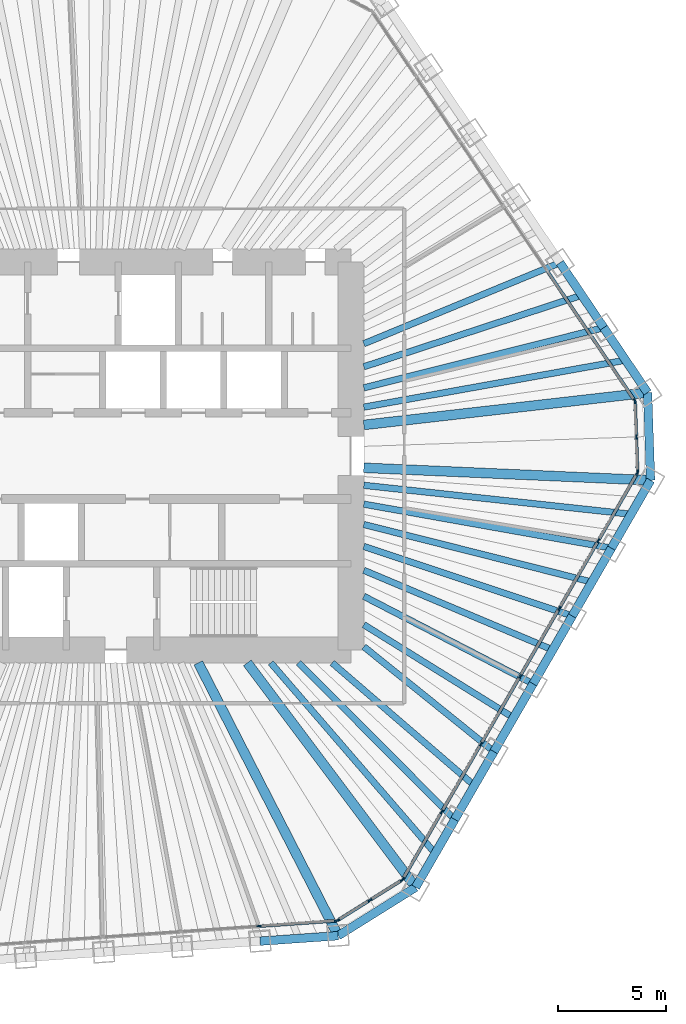
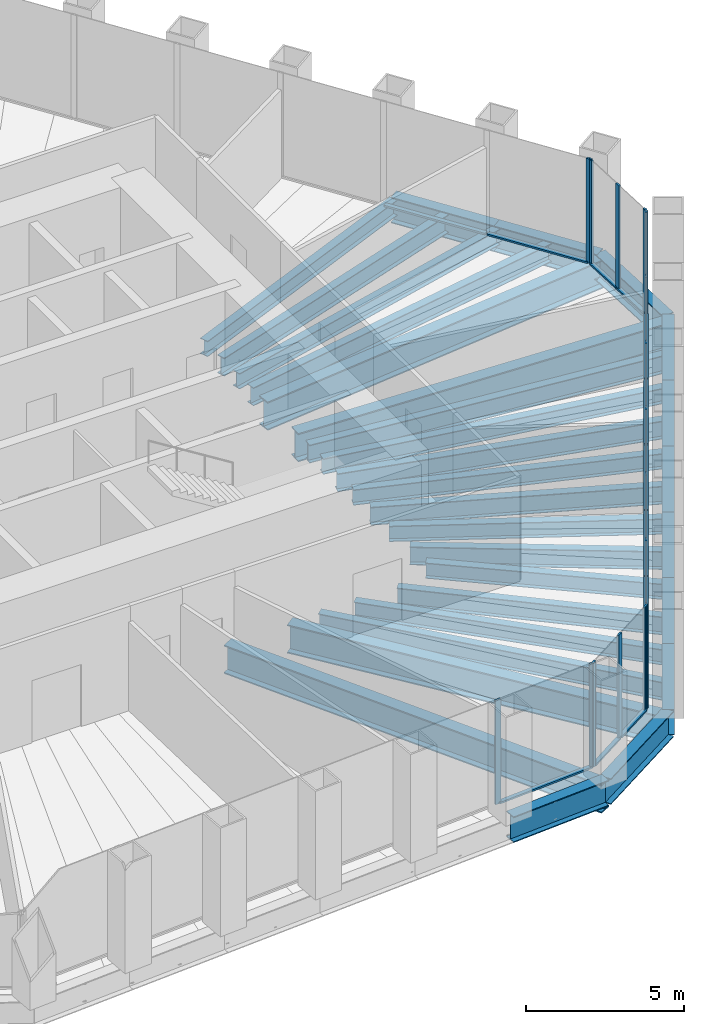
# One storey, part 4 of 13: 30 beams, 29 members, 5 elements without a shape of their own.
"""IFC4 building model written with IfcOpenShell, lengths in metres."""

import ifcopenshell
import ifcopenshell.guid

model = None  # the IFC model being written
_history = None  # IfcOwnerHistory: only IFC2X3 demands one
_inside = {}  # id of a spatial element -> (the spatial element, [elements in it])
_under = {}  # id of a project, library or spatial element -> (it, [spatial elements below it])
_declared = {}  # id of a project -> (the project, [libraries it declares])
_typed = {}  # id of a type object -> (the type object, [elements of that type])
_made_of = {}  # id of a material, layer set ... -> (it, [elements and type objects made of it])


def new_model(schema):
    """Start an empty IFC model of exactly this schema.

    Asked for "IFC4X3", IfcOpenShell would pick the latest addendum, in which some entities
    have other attributes; the version numbers below select the first issue.
    IFC2X3 requires an IfcOwnerHistory on every rooted entity: one is made here for all.
    """
    global model, _history
    if schema == "IFC4X3":
        model = ifcopenshell.file(schema_version=(4, 3, 0, 0))
    else:
        model = ifcopenshell.file(schema=schema)
    _inside.clear()
    _under.clear()
    _declared.clear()
    _typed.clear()
    _made_of.clear()
    _history = None
    if model.schema == "IFC2X3":
        org = make("IfcOrganization", Name="unknown")
        user = make(
            "IfcPersonAndOrganization",
            ThePerson=make("IfcPerson", FamilyName="unknown"),
            TheOrganization=org,
        )
        app = make(
            "IfcApplication",
            ApplicationDeveloper=org,
            Version="unknown",
            ApplicationFullName="unknown",
            ApplicationIdentifier="unknown",
        )
        _history = make(
            "IfcOwnerHistory",
            OwningUser=user,
            OwningApplication=app,
            ChangeAction="ADDED",
            CreationDate=0,
        )
    return model


def make(cls, **values):
    """One entity of the class cls with the attributes given. An attribute that is None is left unset."""
    return model.create_entity(
        cls, **{name: value for name, value in values.items() if value is not None}
    )


def rooted(cls, **values):
    """An entity with a GlobalId (a new one), such as an element, a storey or a relation."""
    return make(cls, GlobalId=ifcopenshell.guid.new(), OwnerHistory=_history, **values)


def si_unit(unit_type, name, prefix=None):
    """IfcSIUnit, for example si_unit("LENGTHUNIT", "METRE", prefix="MILLI")."""
    return make("IfcSIUnit", UnitType=unit_type, Prefix=prefix, Name=name)


def assignment(units):
    """IfcUnitAssignment: the units of a project."""
    return None if units is None else make("IfcUnitAssignment", Units=units)


def point(xyz):
    """IfcCartesianPoint."""
    return None if xyz is None else make("IfcCartesianPoint", Coordinates=xyz)


def direction(xyz):
    """IfcDirection."""
    return None if xyz is None else make("IfcDirection", DirectionRatios=xyz)


def frame(location, z_axis=None, x_axis=None):
    """IfcAxis2Placement3D, a coordinate frame: its origin and axes. An axis left out is left unset."""
    return make(
        "IfcAxis2Placement3D",
        Location=point(location),
        Axis=direction(z_axis),
        RefDirection=direction(x_axis),
    )


def frame_2d(location, x_axis=None):
    """IfcAxis2Placement2D, a coordinate frame in the plane: its origin and x axis."""
    return make(
        "IfcAxis2Placement2D", Location=point(location), RefDirection=direction(x_axis)
    )


def origin():
    """The frame at (0, 0, 0) with its axes left unset."""
    return frame((0.0, 0.0, 0.0))


def origin_2d():
    """The frame at (0, 0) in the plane with its x axis left unset."""
    return frame_2d((0.0, 0.0))


def place(relative_to, where):
    """IfcLocalPlacement: puts the frame where relative to a parent placement (None: the world)."""
    return make(
        "IfcLocalPlacement", PlacementRelTo=relative_to, RelativePlacement=where
    )


def context(
    kind, dimensions, precision=None, world=None, true_north=None, identifier=None
):
    """IfcGeometricRepresentationContext, for example the 3D "Model" context."""
    return make(
        "IfcGeometricRepresentationContext",
        ContextIdentifier=identifier,
        ContextType=kind,
        CoordinateSpaceDimension=dimensions,
        Precision=precision,
        WorldCoordinateSystem=world,
        TrueNorth=true_north,
    )


def subcontext(parent, identifier, kind, view, scale=None):
    """IfcGeometricRepresentationSubContext, for example "Body" below "Model"."""
    return make(
        "IfcGeometricRepresentationSubContext",
        ContextIdentifier=identifier,
        ContextType=kind,
        ParentContext=parent,
        TargetScale=scale,
        TargetView=view,
    )


def project(units=None, contexts=None):
    """IfcProject with its units and contexts."""
    return rooted(
        "IfcProject",
        Name="project",
        RepresentationContexts=contexts,
        UnitsInContext=assignment(units),
    )


def spatial(cls, under=None, at=None, **own):
    """A site, building, storey or space (cls), placed at a placement, below another one or the project."""
    s = rooted(cls, ObjectPlacement=at, **own)
    if under is not None:
        _under.setdefault(under.id(), (under, []))[1].append(s)
    return s


def profile(cls, at=None, kind="AREA", **sizes):
    """A parametric profile (cls). Its sizes go by their IFC names, for example OverallWidth=200.0."""
    return make(cls, ProfileType=kind, Position=at, **sizes)


def rectangle(**sizes):
    """IfcRectangleProfileDef."""
    return profile("IfcRectangleProfileDef", **sizes)


def i_section(**sizes):
    """IfcIShapeProfileDef."""
    return profile("IfcIShapeProfileDef", **sizes)


def extrude(swept, where, along, depth):
    """IfcExtrudedAreaSolid: the profile swept, set in the frame where, extruded along a direction by depth."""
    return make(
        "IfcExtrudedAreaSolid",
        SweptArea=swept,
        Position=where,
        ExtrudedDirection=direction(along),
        Depth=depth,
    )


def shape(context_of_items, identifier, shape_type, items):
    """IfcShapeRepresentation: the items that make up one representation, for example the "Body"."""
    return make(
        "IfcShapeRepresentation",
        ContextOfItems=context_of_items,
        RepresentationIdentifier=identifier,
        RepresentationType=shape_type,
        Items=items,
    )


def material(Name=None, Category=None):
    """IfcMaterial."""
    return make("IfcMaterial", Name=Name, Category=Category)


def material_profile(
    of_material, cross_section, Name=None, Category=None, Priority=None
):
    """IfcMaterialProfile: a cross section and its material."""
    return make(
        "IfcMaterialProfile",
        Name=Name,
        Material=of_material,
        Profile=cross_section,
        Priority=Priority,
        Category=Category,
    )


def profile_set(profiles, Name=None, composite=None):
    """IfcMaterialProfileSet."""
    return make(
        "IfcMaterialProfileSet",
        Name=Name,
        MaterialProfiles=profiles,
        CompositeProfile=composite,
    )


def made_of(thing, what):
    """Note that an element or type object is made of a material, layer set ...; save() writes the relation."""
    if what is not None:
        _made_of.setdefault(what.id(), (what, []))[1].append(thing)
    return thing


def type_object(cls, material=None, **own):
    """A type object (cls), such as IfcWallType, which elements share."""
    return made_of(rooted(cls, **own), material)


def element(
    cls,
    number,
    at=None,
    inside=None,
    cuts=None,
    type_object=None,
    material=None,
    context=None,
    identifier="Body",
    shape_type=None,
    held_by="IfcProductDefinitionShape",
    body=None,
    shapes=None,
    **own,
):
    """One element of the class cls, such as IfcWall. Its Tag is "e" and its number.

    at: its placement. inside: the storey or other place that contains it. cuts: it is an
    opening in that element (IfcRelVoidsElement). A single representation is given by context,
    identifier, shape_type and body (its items); several are given by shapes. held_by: the class
    of the entity that holds the representations. save() writes the other relations.
    """
    e = rooted(cls, Tag="e%d" % number, ObjectPlacement=at, **own)
    if body is not None:
        shapes = [shape(context, identifier, shape_type, body)]
    if shapes is not None:
        e.Representation = make(held_by, Representations=shapes)
    if inside is not None:
        _inside.setdefault(inside.id(), (inside, []))[1].append(e)
    if cuts is not None:
        rooted(
            "IfcRelVoidsElement", RelatingBuildingElement=cuts, RelatedOpeningElement=e
        )
    if type_object is not None:
        _typed.setdefault(type_object.id(), (type_object, []))[1].append(e)
    return made_of(e, material)


def aggregate(whole, parts):
    """IfcRelAggregates: a whole, such as a stair, and the parts it consists of."""
    return rooted("IfcRelAggregates", RelatingObject=whole, RelatedObjects=parts)


def save(model, path):
    """Write the relations noted so far, then the file.

    IfcRelAggregates (storeys below a building ...), IfcRelContainedInSpatialStructure (elements
    in a storey), IfcRelDefinesByType, IfcRelAssociatesMaterial and IfcRelDeclares: one each for
    every whole, place, type object, material and project.
    """
    for whole, parts in _under.values():
        aggregate(whole, parts)
    for where, things in _inside.values():
        rooted(
            "IfcRelContainedInSpatialStructure",
            RelatedElements=things,
            RelatingStructure=where,
        )
    for kind, things in _typed.values():
        rooted("IfcRelDefinesByType", RelatedObjects=things, RelatingType=kind)
    for what, things in _made_of.values():
        rooted("IfcRelAssociatesMaterial", RelatedObjects=things, RelatingMaterial=what)
    for by, libraries in _declared.values():
        rooted("IfcRelDeclares", RelatingContext=by, RelatedDefinitions=libraries)
    model.write(path)


model = new_model("IFC4")

# Units and contexts
model_context = context("Model", 3, precision=1e-05, world=origin(), true_north=direction((0.0, 1.0)))
body_context = subcontext(model_context, "Body", "Model", "MODEL_VIEW")
ifc_project = project(units=[si_unit("LENGTHUNIT", "METRE"), si_unit("AREAUNIT", "SQUARE_METRE"), si_unit("VOLUMEUNIT", "CUBIC_METRE"), si_unit("PLANEANGLEUNIT", "RADIAN"), si_unit("MASSUNIT", "GRAM", prefix="KILO")], contexts=[model_context])

# Site, building, storey
site_placement = place(None, origin())
site = spatial("IfcSite", under=ifc_project, at=site_placement, CompositionType="ELEMENT")
building_placement = place(site_placement, origin())
building = spatial("IfcBuilding", under=site, at=building_placement, Name="Qingtian Harvest Tower", CompositionType="ELEMENT")
storey_placement = place(building_placement, frame((0.0, 0.0, 226.60009765625)))
storey = spatial("IfcBuildingStorey", under=building, at=storey_placement, Name="L49", CompositionType="ELEMENT", Elevation=226.60009765625)

# Beams
ifc_material_1 = material(Name="Steel SM570MC", Category="steel")
ifc_material_profile_1 = material_profile(ifc_material_1, i_section(OverallWidth=0.449951171875, OverallDepth=1.10009765625, WebThickness=0.02197265625, FlangeThickness=0.044921875, at=origin_2d()), Name="H1100x450x22x45")
ifc_profile_set_1 = profile_set([ifc_material_profile_1], Name="Steel SM570MC")
beam_type_1 = type_object("IfcBeamType", Name="Corner floor beam FB8 H1100x450x22x45", PredefinedType="BEAM", material=ifc_profile_set_1)
beam_1_placement = place(storey_placement, frame((25.762451171875, 2.936279296875, -0.72021484375), z_axis=(-0.993566901619, -0.113246686522, 0.0), x_axis=(0.113246686522, -0.993566901619, 0.0)))
element("IfcBeam", 1, at=beam_1_placement, inside=storey, type_object=beam_type_1, Name="Floor beam FB8 NE6", PredefinedType="BEAM", context=body_context, shape_type="SweptSolid", body=[
    extrude(i_section(OverallWidth=0.449951171875, OverallDepth=1.10009765625, WebThickness=0.02197265625, FlangeThickness=0.044921875, at=origin_2d()), origin(), (0.0, 0.0, 1.0), 13.24755859375),
])
beam_2_placement = place(storey_placement, frame((25.904541015625, -1.1318359375, -0.72021484375), z_axis=(-0.999046865424, 0.043650437408, 0.0), x_axis=(-0.043650437408, -0.999046865424, 0.0)))
element("IfcBeam", 2, at=beam_2_placement, inside=storey, type_object=beam_type_1, Name="Floor beam FB8 SE0", PredefinedType="BEAM", context=body_context, shape_type="SweptSolid", body=[
    extrude(i_section(OverallWidth=0.449951171875, OverallDepth=1.10009765625, WebThickness=0.02197265625, FlangeThickness=0.044921875, at=origin_2d()), origin(), (0.0, 0.0, 1.0), 13.317138671875),
])
beam_3_placement = place(storey_placement, frame((15.00390625, -20.012451171875, -0.72021484375), z_axis=(-0.599858913609, 0.800105795357, 0.0), x_axis=(-0.800105795357, -0.599858913609, 0.0)))
element("IfcBeam", 3, at=beam_3_placement, inside=storey, type_object=beam_type_1, Name="Floor beam FB8 SE6", PredefinedType="BEAM", context=body_context, shape_type="SweptSolid", body=[
    extrude(i_section(OverallWidth=0.449951171875, OverallDepth=1.10009765625, WebThickness=0.02197265625, FlangeThickness=0.044921875, at=origin_2d()), origin(), (0.0, 0.0, 1.0), 13.013671875),
])
beam_4_placement = place(storey_placement, frame((11.40966796875, -22.25830078125, -0.72021484375), z_axis=(-0.456157396608, 0.889899111989, 0.0), x_axis=(-0.889899111989, -0.456157396608, 0.0)))
element("IfcBeam", 4, at=beam_4_placement, inside=storey, type_object=beam_type_1, Name="Floor beam FB8 S0", PredefinedType="BEAM", context=body_context, shape_type="SweptSolid", body=[
    extrude(i_section(OverallWidth=0.449951171875, OverallDepth=1.10009765625, WebThickness=0.02197265625, FlangeThickness=0.044921875, at=origin_2d()), origin(), (0.0, 0.0, 1.0), 14.224365234375),
])
ifc_material_2 = material(Name="Steel SN490B", Category="steel")
ifc_material_profile_2 = material_profile(ifc_material_2, i_section(OverallWidth=0.300048828125, OverallDepth=0.60009765625, WebThickness=0.011962890625, FlangeThickness=0.02001953125, at=origin_2d()), Name="H600x300x12x20")
ifc_profile_set_2 = profile_set([ifc_material_profile_2], Name="Steel SN490B")
beam_type_2 = type_object("IfcBeamType", Name="Floor beam FB3 H600x300x12x20", PredefinedType="BEAM", material=ifc_profile_set_2)
beam_5_placement = place(storey_placement, frame((21.69873046875, 8.9609375, -0.47021484375), z_axis=(-0.924281590361, -0.381711332973, 0.0), x_axis=(0.381711332973, -0.924281590361, 0.0)))
element("IfcBeam", 5, at=beam_5_placement, inside=storey, type_object=beam_type_2, Name="Floor beam FB3 NE4", PredefinedType="BEAM", context=body_context, shape_type="SweptSolid", body=[
    extrude(i_section(OverallWidth=0.300048828125, OverallDepth=0.60009765625, WebThickness=0.011962890625, FlangeThickness=0.02001953125, at=origin_2d()), origin(), (0.0, 0.0, 1.0), 9.843994140625),
])
beam_6_placement = place(storey_placement, frame((23.730712890625, 5.948486328125, -0.47021484375), z_axis=(-0.969990876487, -0.243141315972, 0.0), x_axis=(0.243141315972, -0.969990876487, 0.0)))
element("IfcBeam", 6, at=beam_6_placement, inside=storey, type_object=beam_type_2, Name="Floor beam FB3 NE5", PredefinedType="BEAM", context=body_context, shape_type="SweptSolid", body=[
    extrude(i_section(OverallWidth=0.300048828125, OverallDepth=0.60009765625, WebThickness=0.011962890625, FlangeThickness=0.02001953125, at=origin_2d()), origin(), (0.0, 0.0, 1.0), 11.474853515625),
])
beam_7_placement = place(storey_placement, frame((24.087890625, -4.27880859375, -0.47021484375), z_axis=(-0.98458469654, 0.174908477034, 0.0), x_axis=(-0.174908477034, -0.98458469654, 0.0)))
element("IfcBeam", 7, at=beam_7_placement, inside=storey, type_object=beam_type_2, Name="Floor beam FB3 SE1", PredefinedType="BEAM", context=body_context, shape_type="SweptSolid", body=[
    extrude(i_section(OverallWidth=0.300048828125, OverallDepth=0.60009765625, WebThickness=0.011962890625, FlangeThickness=0.02001953125, at=origin_2d()), origin(), (0.0, 0.0, 1.0), 11.667724609375),
])
beam_8_placement = place(storey_placement, frame((22.27099609375, -7.425537109375, -0.47021484375), z_axis=(-0.948654555734, 0.316313979908, 0.0), x_axis=(-0.316313979908, -0.948654555734, 0.0)))
element("IfcBeam", 8, at=beam_8_placement, inside=storey, type_object=beam_type_2, Name="Floor beam FB3 SE2", PredefinedType="BEAM", context=body_context, shape_type="SweptSolid", body=[
    extrude(i_section(OverallWidth=0.300048828125, OverallDepth=0.60009765625, WebThickness=0.011962890625, FlangeThickness=0.02001953125, at=origin_2d()), origin(), (0.0, 0.0, 1.0), 10.1943359375),
])
beam_9_placement = place(storey_placement, frame((20.454345703125, -10.572265625, -0.47021484375), z_axis=(-0.888343501027, 0.459179511938, 0.0), x_axis=(-0.459179511938, -0.888343501027, 0.0)))
element("IfcBeam", 9, at=beam_9_placement, inside=storey, type_object=beam_type_2, Name="Floor beam FB3 SE3", PredefinedType="BEAM", context=body_context, shape_type="SweptSolid", body=[
    extrude(i_section(OverallWidth=0.300048828125, OverallDepth=0.60009765625, WebThickness=0.011962890625, FlangeThickness=0.02001953125, at=origin_2d()), origin(), (0.0, 0.0, 1.0), 8.841552734375),
])
beam_10_placement = place(storey_placement, frame((18.637451171875, -13.718994140625, -0.47021484375), z_axis=(-0.77840907003, 0.62775737327, 0.0), x_axis=(-0.62775737327, -0.77840907003, 0.0)))
element("IfcBeam", 10, at=beam_10_placement, inside=storey, type_object=beam_type_2, Name="Floor beam FB3 SE4", PredefinedType="BEAM", context=body_context, shape_type="SweptSolid", body=[
    extrude(i_section(OverallWidth=0.300048828125, OverallDepth=0.60009765625, WebThickness=0.011962890625, FlangeThickness=0.02001953125, at=origin_2d()), origin(), (0.0, 0.0, 1.0), 7.756103515625),
])
beam_11_placement = place(storey_placement, frame((16.82080078125, -16.86572265625, -0.47021484375), z_axis=(-0.70616637797, 0.708045935392, 0.0), x_axis=(-0.708045935392, -0.70616637797, 0.0)))
element("IfcBeam", 11, at=beam_11_placement, inside=storey, type_object=beam_type_2, Name="Floor beam FB3 SE5", PredefinedType="BEAM", context=body_context, shape_type="SweptSolid", body=[
    extrude(i_section(OverallWidth=0.300048828125, OverallDepth=0.60009765625, WebThickness=0.011962890625, FlangeThickness=0.02001953125, at=origin_2d()), origin(), (0.0, 0.0, 1.0), 10.261474609375),
])
ifc_material_3 = material(Name="Steel SN490B", Category="steel")
ifc_material_profile_3 = material_profile(ifc_material_3, i_section(OverallWidth=0.300048828125, OverallDepth=0.699951171875, WebThickness=0.012939453125, FlangeThickness=0.02392578125, at=origin_2d()), Name="H700x300x13x24")
ifc_profile_set_3 = profile_set([ifc_material_profile_3], Name="Steel SN490B")
beam_type_3 = type_object("IfcBeamType", Name="Floor joist J2 H700x300x13x24", PredefinedType="JOIST", material=ifc_profile_set_3)
beam_12_placement = place(storey_placement, frame((22.71484375, 7.454833984375, -0.52001953125), z_axis=(-0.950138567513, -0.311828001508, 0.0), x_axis=(0.311828001508, -0.950138567513, 0.0)))
element("IfcBeam", 12, at=beam_12_placement, inside=storey, type_object=beam_type_3, Name="Floor joist J2 NE4", PredefinedType="JOIST", context=body_context, shape_type="SweptSolid", body=[
    extrude(i_section(OverallWidth=0.300048828125, OverallDepth=0.699951171875, WebThickness=0.012939453125, FlangeThickness=0.02392578125, at=origin_2d()), origin(), (0.0, 0.0, 1.0), 10.6455078125),
])
beam_13_placement = place(storey_placement, frame((24.74658203125, 4.4423828125, -0.52001953125), z_axis=(-0.98426723745, -0.176686177393, 0.0), x_axis=(0.176686177393, -0.98426723745, 0.0)))
element("IfcBeam", 13, at=beam_13_placement, inside=storey, type_object=beam_type_3, Name="Floor joist J2 NE5", PredefinedType="JOIST", context=body_context, shape_type="SweptSolid", body=[
    extrude(i_section(OverallWidth=0.300048828125, OverallDepth=0.699951171875, WebThickness=0.012939453125, FlangeThickness=0.02392578125, at=origin_2d()), origin(), (0.0, 0.0, 1.0), 12.340576171875),
])
beam_14_placement = place(storey_placement, frame((24.99609375, -2.705322265625, -0.52001953125), z_axis=(-0.994194656298, 0.107596400448, 0.0), x_axis=(-0.107596400448, -0.994194656298, 0.0)))
element("IfcBeam", 14, at=beam_14_placement, inside=storey, type_object=beam_type_3, Name="Floor joist J2 SE0", PredefinedType="JOIST", context=body_context, shape_type="SweptSolid", body=[
    extrude(i_section(OverallWidth=0.300048828125, OverallDepth=0.699951171875, WebThickness=0.012939453125, FlangeThickness=0.02392578125, at=origin_2d()), origin(), (0.0, 0.0, 1.0), 12.46826171875),
])
beam_15_placement = place(storey_placement, frame((23.179443359375, -5.85205078125, -0.52001953125), z_axis=(-0.969577887027, 0.244783007963, 0.0), x_axis=(-0.244783007963, -0.969577887027, 0.0)))
element("IfcBeam", 15, at=beam_15_placement, inside=storey, type_object=beam_type_3, Name="Floor joist J2 SE1", PredefinedType="JOIST", context=body_context, shape_type="SweptSolid", body=[
    extrude(i_section(OverallWidth=0.300048828125, OverallDepth=0.699951171875, WebThickness=0.012939453125, FlangeThickness=0.02392578125, at=origin_2d()), origin(), (0.0, 0.0, 1.0), 10.911376953125),
])
beam_16_placement = place(storey_placement, frame((21.362548828125, -8.998779296875, -0.52001953125), z_axis=(-0.921571079516, 0.388209666803, 0.0), x_axis=(-0.388209666803, -0.921571079516, 0.0)))
element("IfcBeam", 16, at=beam_16_placement, inside=storey, type_object=beam_type_3, Name="Floor joist J2 SE2", PredefinedType="JOIST", context=body_context, shape_type="SweptSolid", body=[
    extrude(i_section(OverallWidth=0.300048828125, OverallDepth=0.699951171875, WebThickness=0.012939453125, FlangeThickness=0.02392578125, at=origin_2d()), origin(), (0.0, 0.0, 1.0), 9.508056640625),
])
beam_17_placement = place(storey_placement, frame((19.5458984375, -12.1455078125, -0.52001953125), z_axis=(-0.849380822906, 0.527780463526, 0.0), x_axis=(-0.527780463526, -0.849380822906, 0.0)))
element("IfcBeam", 17, at=beam_17_placement, inside=storey, type_object=beam_type_3, Name="Floor joist J2 SE3", PredefinedType="JOIST", context=body_context, shape_type="SweptSolid", body=[
    extrude(i_section(OverallWidth=0.300048828125, OverallDepth=0.699951171875, WebThickness=0.012939453125, FlangeThickness=0.02392578125, at=origin_2d()), origin(), (0.0, 0.0, 1.0), 8.177490234375),
])
beam_18_placement = place(storey_placement, frame((17.72900390625, -15.292236328125, -0.52001953125), z_axis=(-0.757237954988, 0.653139096613, 0.0), x_axis=(-0.653139096613, -0.757237954988, 0.0)))
element("IfcBeam", 18, at=beam_18_placement, inside=storey, type_object=beam_type_3, Name="Floor joist J2 SE4", PredefinedType="JOIST", context=body_context, shape_type="SweptSolid", body=[
    extrude(i_section(OverallWidth=0.300048828125, OverallDepth=0.699951171875, WebThickness=0.012939453125, FlangeThickness=0.02392578125, at=origin_2d()), origin(), (0.0, 0.0, 1.0), 8.715087890625),
])
beam_19_placement = place(storey_placement, frame((15.912353515625, -18.43896484375, -0.52001953125), z_axis=(-0.653343257086, 0.757061812813, 0.0), x_axis=(-0.757061812813, -0.653343257086, 0.0)))
element("IfcBeam", 19, at=beam_19_placement, inside=storey, type_object=beam_type_3, Name="Floor joist J2 SE5", PredefinedType="JOIST", context=body_context, shape_type="SweptSolid", body=[
    extrude(i_section(OverallWidth=0.300048828125, OverallDepth=0.699951171875, WebThickness=0.012939453125, FlangeThickness=0.02392578125, at=origin_2d()), origin(), (0.0, 0.0, 1.0), 11.67529296875),
])

# Curtain wall, member
ifc_material_4 = material(Name="Bronze-anodised aluminium curtain wall", Category="aluminium")
curtain_wall_type = type_object("IfcCurtainWallType", Name="Curtain wall CW4 office", PredefinedType="USERDEFINED", material=ifc_material_4)
curtain_wall_1_placement = place(storey_placement, origin())
curtain_wall_1 = element("IfcCurtainWall", 20, at=curtain_wall_1_placement, inside=storey, type_object=curtain_wall_type, Name="Curtain wall CW4 L49 NE0-5", ObjectType="RECESSED CURTAIN WALL", PredefinedType="USERDEFINED")
ifc_material_5 = material(Name="Bronze-anodised aluminium mullion", Category="aluminium")
ifc_material_profile_4 = material_profile(ifc_material_5, rectangle(XDim=0.06494140625, YDim=0.199951171875, at=origin_2d()), Name="AL 65x200")
ifc_profile_set_4 = profile_set([ifc_material_profile_4], Name="Bronze-anodised aluminium mullion")
member_type_1 = type_object("IfcMemberType", Name="Mullion CWM 65x200", PredefinedType="MULLION", material=ifc_profile_set_4)
member_1_placement = place(storey_placement, frame((25.1640625, 2.57177734375, 0.0), z_axis=(0.0, 0.0, 1.0), x_axis=(0.829037572555, 0.559192903471, 0.0)))
member_1 = element("IfcMember", 21, at=member_1_placement, type_object=member_type_1, Name="CW4 mullion 7", PredefinedType="MULLION", context=body_context, shape_type="SweptSolid", body=[
    extrude(rectangle(XDim=0.06494140625, YDim=0.199951171875, at=origin_2d()), origin(), (0.0, 0.0, 1.0), 4.02978515625),
])

# Curtain wall, members
curtain_wall_2_placement = place(storey_placement, origin())
curtain_wall_2 = element("IfcCurtainWall", 22, at=curtain_wall_2_placement, inside=storey, type_object=curtain_wall_type, Name="Curtain wall CW4 L49 NEC", ObjectType="RECESSED CURTAIN WALL", PredefinedType="USERDEFINED")
member_2_placement = place(storey_placement, frame((25.183349609375, 2.51220703125, 0.0), z_axis=(0.0, 0.0, 1.0), x_axis=(0.999390827019, 0.034899496703, 0.0)))
member_2 = element("IfcMember", 23, at=member_2_placement, type_object=member_type_1, Name="CW4 mullion 1", PredefinedType="MULLION", context=body_context, shape_type="SweptSolid", body=[
    extrude(rectangle(XDim=0.06494140625, YDim=0.199951171875, at=origin_2d()), origin(), (0.0, 0.0, 1.0), 4.02978515625),
])
member_3_placement = place(storey_placement, frame((25.240234375, 0.88134765625, 0.0), z_axis=(0.0, 0.0, 1.0), x_axis=(0.999390827019, 0.034899496703, 0.0)))
member_3 = element("IfcMember", 24, at=member_3_placement, type_object=member_type_1, Name="CW4 mullion 2", PredefinedType="MULLION", context=body_context, shape_type="SweptSolid", body=[
    extrude(rectangle(XDim=0.06494140625, YDim=0.199951171875, at=origin_2d()), origin(), (0.0, 0.0, 1.0), 4.02978515625),
])
member_4_placement = place(storey_placement, frame((25.297119140625, -0.74951171875, 0.0), z_axis=(0.0, 0.0, 1.0), x_axis=(0.999390827019, 0.034899496703, 0.0)))
member_4 = element("IfcMember", 25, at=member_4_placement, type_object=member_type_1, Name="CW4 mullion 3", PredefinedType="MULLION", context=body_context, shape_type="SweptSolid", body=[
    extrude(rectangle(XDim=0.06494140625, YDim=0.199951171875, at=origin_2d()), origin(), (0.0, 0.0, 1.0), 4.02978515625),
])

curtain_wall_3_placement = place(storey_placement, origin())
curtain_wall_3 = element("IfcCurtainWall", 26, at=curtain_wall_3_placement, inside=storey, type_object=curtain_wall_type, Name="Curtain wall CW4 L49 SE0-5", ObjectType="RECESSED CURTAIN WALL", PredefinedType="USERDEFINED")
member_5_placement = place(storey_placement, frame((25.2822265625, -0.81005859375, 0.0), z_axis=(0.0, 0.0, 1.0), x_axis=(0.866025403784, -0.5, 0.0)))
member_5 = element("IfcMember", 27, at=member_5_placement, type_object=member_type_1, Name="CW4 mullion 1", PredefinedType="MULLION", context=body_context, shape_type="SweptSolid", body=[
    extrude(rectangle(XDim=0.06494140625, YDim=0.199951171875, at=origin_2d()), origin(), (0.0, 0.0, 1.0), 4.02978515625),
])
member_6_placement = place(storey_placement, frame((23.481689453125, -3.9287109375, 0.0), z_axis=(0.0, 0.0, 1.0), x_axis=(0.866025403784, -0.5, 0.0)))
member_6 = element("IfcMember", 28, at=member_6_placement, type_object=member_type_1, Name="CW4 mullion 2", PredefinedType="MULLION", context=body_context, shape_type="SweptSolid", body=[
    extrude(rectangle(XDim=0.06494140625, YDim=0.199951171875, at=origin_2d()), origin(), (0.0, 0.0, 1.0), 4.02978515625),
])
member_7_placement = place(storey_placement, frame((21.664794921875, -7.075439453125, 0.0), z_axis=(0.0, 0.0, 1.0), x_axis=(0.866025403784, -0.5, 0.0)))
member_7 = element("IfcMember", 29, at=member_7_placement, type_object=member_type_1, Name="CW4 mullion 3", PredefinedType="MULLION", context=body_context, shape_type="SweptSolid", body=[
    extrude(rectangle(XDim=0.06494140625, YDim=0.199951171875, at=origin_2d()), origin(), (0.0, 0.0, 1.0), 4.02978515625),
])
member_8_placement = place(storey_placement, frame((19.84814453125, -10.22216796875, 0.0), z_axis=(0.0, 0.0, 1.0), x_axis=(0.866025403784, -0.5, 0.0)))
member_8 = element("IfcMember", 30, at=member_8_placement, type_object=member_type_1, Name="CW4 mullion 4", PredefinedType="MULLION", context=body_context, shape_type="SweptSolid", body=[
    extrude(rectangle(XDim=0.06494140625, YDim=0.199951171875, at=origin_2d()), origin(), (0.0, 0.0, 1.0), 4.02978515625),
])
member_9_placement = place(storey_placement, frame((18.03125, -13.368896484375, 0.0), z_axis=(0.0, 0.0, 1.0), x_axis=(0.866025403784, -0.5, 0.0)))
member_9 = element("IfcMember", 31, at=member_9_placement, type_object=member_type_1, Name="CW4 mullion 5", PredefinedType="MULLION", context=body_context, shape_type="SweptSolid", body=[
    extrude(rectangle(XDim=0.06494140625, YDim=0.199951171875, at=origin_2d()), origin(), (0.0, 0.0, 1.0), 4.02978515625),
])
member_10_placement = place(storey_placement, frame((16.214599609375, -16.515625, 0.0), z_axis=(0.0, 0.0, 1.0), x_axis=(0.866025403784, -0.5, 0.0)))
member_10 = element("IfcMember", 32, at=member_10_placement, type_object=member_type_1, Name="CW4 mullion 6", PredefinedType="MULLION", context=body_context, shape_type="SweptSolid", body=[
    extrude(rectangle(XDim=0.06494140625, YDim=0.199951171875, at=origin_2d()), origin(), (0.0, 0.0, 1.0), 4.02978515625),
])
member_11_placement = place(storey_placement, frame((14.4140625, -19.63427734375, 0.0), z_axis=(0.0, 0.0, 1.0), x_axis=(0.866025403784, -0.5, 0.0)))
member_11 = element("IfcMember", 33, at=member_11_placement, type_object=member_type_1, Name="CW4 mullion 7", PredefinedType="MULLION", context=body_context, shape_type="SweptSolid", body=[
    extrude(rectangle(XDim=0.06494140625, YDim=0.199951171875, at=origin_2d()), origin(), (0.0, 0.0, 1.0), 4.02978515625),
])

curtain_wall_4_placement = place(storey_placement, origin())
curtain_wall_4 = element("IfcCurtainWall", 34, at=curtain_wall_4_placement, inside=storey, type_object=curtain_wall_type, Name="Curtain wall CW4 L49 SEC", ObjectType="RECESSED CURTAIN WALL", PredefinedType="USERDEFINED")
member_12_placement = place(storey_placement, frame((14.3701171875, -19.6796875, 0.0), z_axis=(0.0, 0.0, 1.0), x_axis=(0.529919264233, -0.848048096156, 0.0)))
member_12 = element("IfcMember", 35, at=member_12_placement, type_object=member_type_1, Name="CW4 mullion 1", PredefinedType="MULLION", context=body_context, shape_type="SweptSolid", body=[
    extrude(rectangle(XDim=0.06494140625, YDim=0.199951171875, at=origin_2d()), origin(), (0.0, 0.0, 1.0), 4.02978515625),
])
member_13_placement = place(storey_placement, frame((12.87939453125, -20.611328125, 0.0), z_axis=(0.0, 0.0, 1.0), x_axis=(0.529919264233, -0.848048096156, 0.0)))
member_13 = element("IfcMember", 36, at=member_13_placement, type_object=member_type_1, Name="CW4 mullion 2", PredefinedType="MULLION", context=body_context, shape_type="SweptSolid", body=[
    extrude(rectangle(XDim=0.06494140625, YDim=0.199951171875, at=origin_2d()), origin(), (0.0, 0.0, 1.0), 4.02978515625),
])
member_14_placement = place(storey_placement, frame((11.388427734375, -21.542724609375, 0.0), z_axis=(0.0, 0.0, 1.0), x_axis=(0.529919264233, -0.848048096156, 0.0)))
member_14 = element("IfcMember", 37, at=member_14_placement, type_object=member_type_1, Name="CW4 mullion 3", PredefinedType="MULLION", context=body_context, shape_type="SweptSolid", body=[
    extrude(rectangle(XDim=0.06494140625, YDim=0.199951171875, at=origin_2d()), origin(), (0.0, 0.0, 1.0), 4.02978515625),
])

curtain_wall_5_placement = place(storey_placement, origin())
curtain_wall_5 = element("IfcCurtainWall", 38, at=curtain_wall_5_placement, inside=storey, type_object=curtain_wall_type, Name="Curtain wall CW4 L49 S0-5", ObjectType="RECESSED CURTAIN WALL", PredefinedType="USERDEFINED")
member_15_placement = place(storey_placement, frame((11.32861328125, -21.562255859375, 0.0), z_axis=(0.0, 0.0, 1.0), x_axis=(0.069756473744, -0.99756405026, 0.0)))
member_15 = element("IfcMember", 39, at=member_15_placement, type_object=member_type_1, Name="CW4 mullion 1", PredefinedType="MULLION", context=body_context, shape_type="SweptSolid", body=[
    extrude(rectangle(XDim=0.06494140625, YDim=0.199951171875, at=origin_2d()), origin(), (0.0, 0.0, 1.0), 4.02978515625),
])
member_16_placement = place(storey_placement, frame((7.736328125, -21.8134765625, 0.0), z_axis=(0.0, 0.0, 1.0), x_axis=(0.069756473744, -0.99756405026, 0.0)))
member_16 = element("IfcMember", 40, at=member_16_placement, type_object=member_type_1, Name="CW4 mullion 2", PredefinedType="MULLION", context=body_context, shape_type="SweptSolid", body=[
    extrude(rectangle(XDim=0.06494140625, YDim=0.199951171875, at=origin_2d()), origin(), (0.0, 0.0, 1.0), 4.02978515625),
])

# Beams
ifc_material_6 = material(Name="Steel SN490B", Category="steel")
ifc_material_profile_5 = material_profile(ifc_material_6, i_section(OverallWidth=0.39990234375, OverallDepth=1.0, WebThickness=0.01904296875, FlangeThickness=0.035888671875, at=origin_2d()), Name="H1000x400x19x36")
ifc_profile_set_5 = profile_set([ifc_material_profile_5], Name="Steel SN490B")
beam_type_4 = type_object("IfcBeamType", Name="Spandrel beam SB3 H1000x400x19x36", PredefinedType="SPANDREL", material=ifc_profile_set_5)
beam_20_placement = place(storey_placement, frame((21.69873046875, 8.9609375, -0.5), z_axis=(0.55920395902, -0.829030115385, 0.0), x_axis=(0.829030115385, 0.55920395902, 0.0)))
element("IfcBeam", 41, at=beam_20_placement, inside=storey, type_object=beam_type_4, Name="Spandrel SB3 NE4", PredefinedType="SPANDREL", context=body_context, shape_type="SweptSolid", body=[
    extrude(i_section(OverallWidth=0.39990234375, OverallDepth=1.0, WebThickness=0.01904296875, FlangeThickness=0.035888671875, at=origin_2d()), origin(), (0.0, 0.0, 1.0), 3.6337890625),
])
beam_21_placement = place(storey_placement, frame((23.730712890625, 5.948486328125, -0.5), z_axis=(0.559188928021, -0.829040254016, 0.0), x_axis=(0.829040254016, 0.559188928021, 0.0)))
element("IfcBeam", 42, at=beam_21_placement, inside=storey, type_object=beam_type_4, Name="Spandrel SB3 NE5", PredefinedType="SPANDREL", context=body_context, shape_type="SweptSolid", body=[
    extrude(i_section(OverallWidth=0.39990234375, OverallDepth=1.0, WebThickness=0.01904296875, FlangeThickness=0.035888671875, at=origin_2d()), origin(), (0.0, 0.0, 1.0), 3.63330078125),
])
beam_22_placement = place(storey_placement, frame((25.762451171875, 2.936279296875, -0.5), z_axis=(0.03490639867, -0.999390585973, 0.0), x_axis=(0.999390585973, 0.03490639867, 0.0)))
element("IfcBeam", 43, at=beam_22_placement, inside=storey, type_object=beam_type_4, Name="Spandrel SB3 NEC", PredefinedType="SPANDREL", context=body_context, shape_type="SweptSolid", body=[
    extrude(i_section(OverallWidth=0.39990234375, OverallDepth=1.0, WebThickness=0.01904296875, FlangeThickness=0.035888671875, at=origin_2d()), origin(), (0.0, 0.0, 1.0), 4.070556640625),
])
beam_23_placement = place(storey_placement, frame((25.904541015625, -1.1318359375, -0.5), z_axis=(-0.499947341849, -0.866055803848, 0.0), x_axis=(0.866055803848, -0.499947341849, 0.0)))
element("IfcBeam", 44, at=beam_23_placement, inside=storey, type_object=beam_type_4, Name="Spandrel SB3 SE0", PredefinedType="SPANDREL", context=body_context, shape_type="SweptSolid", body=[
    extrude(i_section(OverallWidth=0.39990234375, OverallDepth=1.0, WebThickness=0.01904296875, FlangeThickness=0.035888671875, at=origin_2d()), origin(), (0.0, 0.0, 1.0), 3.6337890625),
])
for number, where, z_axis, x_axis, name in (
    (45, (24.087890625, -4.27880859375, -0.5), (-0.500026827678, -0.866009914263, 0.0), (0.866009914263, -0.500026827678, 0.0), "Spandrel SB3 SE1"),
    (46, (22.27099609375, -7.425537109375, -0.5), (-0.499976434558, -0.866039008871, 0.0), (0.866039008871, -0.499976434558, 0.0), "Spandrel SB3 SE2"),
    (47, (20.454345703125, -10.572265625, -0.5), (-0.500026827678, -0.866009914263, 0.0), (0.866009914263, -0.500026827678, 0.0), "Spandrel SB3 SE3"),
    (48, (18.637451171875, -13.718994140625, -0.5), (-0.499976434558, -0.866039008871, 0.0), (0.866039008871, -0.499976434558, 0.0), "Spandrel SB3 SE4"),
    (49, (16.82080078125, -16.86572265625, -0.5), (-0.500026827678, -0.866009914263, 0.0), (0.866009914263, -0.500026827678, 0.0), "Spandrel SB3 SE5"),
):
    element("IfcBeam", number, at=place(storey_placement, frame(where, z_axis=z_axis, x_axis=x_axis)), inside=storey, type_object=beam_type_4, Name=name, PredefinedType="SPANDREL", context=body_context, shape_type="SweptSolid", body=[
        extrude(i_section(OverallWidth=0.39990234375, OverallDepth=1.0, WebThickness=0.01904296875, FlangeThickness=0.035888671875, at=origin_2d()), origin(), (0.0, 0.0, 1.0), 3.633544921875),
    ])
beam_24_placement = place(storey_placement, frame((15.00390625, -20.012451171875, -0.5), z_axis=(-0.848056550838, -0.529905733675, 0.0), x_axis=(0.529905733675, -0.848056550838, 0.0)))
element("IfcBeam", 50, at=beam_24_placement, inside=storey, type_object=beam_type_4, Name="Spandrel SB3 SEC", PredefinedType="SPANDREL", context=body_context, shape_type="SweptSolid", body=[
    extrude(i_section(OverallWidth=0.39990234375, OverallDepth=1.0, WebThickness=0.01904296875, FlangeThickness=0.035888671875, at=origin_2d()), origin(), (0.0, 0.0, 1.0), 4.23828125),
])
beam_25_placement = place(storey_placement, frame((11.40966796875, -22.25830078125, -0.5), z_axis=(-0.997564674207, -0.069747550305, 0.0), x_axis=(0.069747550305, -0.997564674207, 0.0)))
element("IfcBeam", 51, at=beam_25_placement, inside=storey, type_object=beam_type_4, Name="Spandrel SB3 S0", PredefinedType="SPANDREL", context=body_context, shape_type="SweptSolid", body=[
    extrude(i_section(OverallWidth=0.39990234375, OverallDepth=1.0, WebThickness=0.01904296875, FlangeThickness=0.035888671875, at=origin_2d()), origin(), (0.0, 0.0, 1.0), 3.63330078125),
])

# Member
ifc_material_7 = material(Name="Bronze-anodised aluminium transom", Category="aluminium")
ifc_material_profile_6 = material_profile(ifc_material_7, rectangle(XDim=0.14990234375, YDim=0.06494140625, at=origin_2d()), Name="AL 65x150")
ifc_profile_set_6 = profile_set([ifc_material_profile_6], Name="Bronze-anodised aluminium transom")
member_type_2 = type_object("IfcMemberType", Name="Transom CWT 65x150", PredefinedType="USERDEFINED", material=ifc_profile_set_6)
member_17_placement = place(storey_placement, frame((21.13671875, 8.54248046875, 0.032470703125), z_axis=(0.559160259871, -0.829059590006, 0.0), x_axis=(0.829059590006, 0.559160259871, 0.0)))
member_17 = element("IfcMember", 52, at=member_17_placement, type_object=member_type_2, Name="CW4 transom 5.1", ObjectType="TRANSOM", PredefinedType="USERDEFINED", context=body_context, shape_type="SweptSolid", body=[
    extrude(rectangle(XDim=0.14990234375, YDim=0.06494140625, at=origin_2d()), origin(), (0.0, 0.0, 1.0), 3.568603515625),
])

member_18_placement = place(storey_placement, frame((23.16845703125, 5.5302734375, 0.032470703125), z_axis=(0.559169259008, -0.829053520456, 0.0), x_axis=(0.829053520456, 0.559169259008, 0.0)))
member_18 = element("IfcMember", 53, at=member_18_placement, type_object=member_type_2, Name="CW4 transom 6.1", ObjectType="TRANSOM", PredefinedType="USERDEFINED", context=body_context, shape_type="SweptSolid", body=[
    extrude(rectangle(XDim=0.14990234375, YDim=0.06494140625, at=origin_2d()), origin(), (0.0, 0.0, 1.0), 3.5361328125),
])

aggregate(curtain_wall_1, [member_1, member_17, member_18])

member_19_placement = place(storey_placement, frame((25.1845703125, 2.479736328125, 0.032470703125), z_axis=(0.034902326647, -0.999390728191, 0.0), x_axis=(0.999390728191, 0.034902326647, 0.0)))
member_19 = element("IfcMember", 54, at=member_19_placement, type_object=member_type_2, Name="CW4 transom 1.1", ObjectType="TRANSOM", PredefinedType="USERDEFINED", context=body_context, shape_type="SweptSolid", body=[
    extrude(rectangle(XDim=0.14990234375, YDim=0.06494140625, at=origin_2d()), origin(), (0.0, 0.0, 1.0), 1.56689453125),
])

member_20_placement = place(storey_placement, frame((25.241455078125, 0.848876953125, 0.032470703125), z_axis=(0.034902326647, -0.999390728191, 0.0), x_axis=(0.999390728191, 0.034902326647, 0.0)))
member_20 = element("IfcMember", 55, at=member_20_placement, type_object=member_type_2, Name="CW4 transom 2.1", ObjectType="TRANSOM", PredefinedType="USERDEFINED", context=body_context, shape_type="SweptSolid", body=[
    extrude(rectangle(XDim=0.14990234375, YDim=0.06494140625, at=origin_2d()), origin(), (0.0, 0.0, 1.0), 1.56689453125),
])

aggregate(curtain_wall_2, [member_2, member_3, member_4, member_19, member_20])

member_21_placement = place(storey_placement, frame((25.265869140625, -0.838134765625, 0.032470703125), z_axis=(-0.499985409597, -0.866033827394, 0.0), x_axis=(0.866033827394, -0.499985409597, 0.0)))
member_21 = element("IfcMember", 56, at=member_21_placement, type_object=member_type_2, Name="CW4 transom 1.1", ObjectType="TRANSOM", PredefinedType="USERDEFINED", context=body_context, shape_type="SweptSolid", body=[
    extrude(rectangle(XDim=0.14990234375, YDim=0.06494140625, at=origin_2d()), origin(), (0.0, 0.0, 1.0), 3.5361328125),
])

member_22_placement = place(storey_placement, frame((23.46533203125, -3.956787109375, 0.032470703125), z_axis=(-0.499965259726, -0.866045460162, 0.0), x_axis=(0.866045460162, -0.499965259726, 0.0)))
member_22 = element("IfcMember", 57, at=member_22_placement, type_object=member_type_2, Name="CW4 transom 2.1", ObjectType="TRANSOM", PredefinedType="USERDEFINED", context=body_context, shape_type="SweptSolid", body=[
    extrude(rectangle(XDim=0.14990234375, YDim=0.06494140625, at=origin_2d()), origin(), (0.0, 0.0, 1.0), 3.568603515625),
])

member_23_placement = place(storey_placement, frame((21.648681640625, -7.103515625, 0.032470703125), z_axis=(-0.500016569533, -0.866015837149, 0.0), x_axis=(0.866015837149, -0.500016569533, 0.0)))
member_23 = element("IfcMember", 58, at=member_23_placement, type_object=member_type_2, Name="CW4 transom 3.1", ObjectType="TRANSOM", PredefinedType="USERDEFINED", context=body_context, shape_type="SweptSolid", body=[
    extrude(rectangle(XDim=0.14990234375, YDim=0.06494140625, at=origin_2d()), origin(), (0.0, 0.0, 1.0), 3.56884765625),
])

member_24_placement = place(storey_placement, frame((19.831787109375, -10.250244140625, 0.032470703125), z_axis=(-0.499965259726, -0.866045460162, 0.0), x_axis=(0.866045460162, -0.499965259726, 0.0)))
member_24 = element("IfcMember", 59, at=member_24_placement, type_object=member_type_2, Name="CW4 transom 4.1", ObjectType="TRANSOM", PredefinedType="USERDEFINED", context=body_context, shape_type="SweptSolid", body=[
    extrude(rectangle(XDim=0.14990234375, YDim=0.06494140625, at=origin_2d()), origin(), (0.0, 0.0, 1.0), 3.568603515625),
])

member_25_placement = place(storey_placement, frame((18.014892578125, -13.39697265625, 0.032470703125), z_axis=(-0.499965259726, -0.866045460162, 0.0), x_axis=(0.866045460162, -0.499965259726, 0.0)))
member_25 = element("IfcMember", 60, at=member_25_placement, type_object=member_type_2, Name="CW4 transom 5.1", ObjectType="TRANSOM", PredefinedType="USERDEFINED", context=body_context, shape_type="SweptSolid", body=[
    extrude(rectangle(XDim=0.14990234375, YDim=0.06494140625, at=origin_2d()), origin(), (0.0, 0.0, 1.0), 3.568603515625),
])

member_26_placement = place(storey_placement, frame((16.1982421875, -16.5439453125, 0.032470703125), z_axis=(-0.500015305566, -0.866016566931, 0.0), x_axis=(0.866016566931, -0.500015305566, 0.0)))
member_26 = element("IfcMember", 61, at=member_26_placement, type_object=member_type_2, Name="CW4 transom 6.1", ObjectType="TRANSOM", PredefinedType="USERDEFINED", context=body_context, shape_type="SweptSolid", body=[
    extrude(rectangle(XDim=0.14990234375, YDim=0.06494140625, at=origin_2d()), origin(), (0.0, 0.0, 1.0), 3.5361328125),
])

aggregate(curtain_wall_3, [member_5, member_6, member_7, member_8, member_9, member_10, member_11, member_21, member_22, member_23, member_24, member_25, member_26])

member_27_placement = place(storey_placement, frame((14.342529296875, -19.69677734375, 0.032470703125), z_axis=(-0.847998304005, -0.529998940003, 0.0), x_axis=(0.529998940003, -0.847998304005, 0.0)))
member_27 = element("IfcMember", 62, at=member_27_placement, type_object=member_type_2, Name="CW4 transom 1.1", ObjectType="TRANSOM", PredefinedType="USERDEFINED", context=body_context, shape_type="SweptSolid", body=[
    extrude(rectangle(XDim=0.14990234375, YDim=0.06494140625, at=origin_2d()), origin(), (0.0, 0.0, 1.0), 1.69287109375),
])

member_28_placement = place(storey_placement, frame((12.851806640625, -20.62841796875, 0.032470703125), z_axis=(-0.84803880708, -0.529934129573, 0.0), x_axis=(0.529934129573, -0.84803880708, 0.0)))
member_28 = element("IfcMember", 63, at=member_28_placement, type_object=member_type_2, Name="CW4 transom 2.1", ObjectType="TRANSOM", PredefinedType="USERDEFINED", context=body_context, shape_type="SweptSolid", body=[
    extrude(rectangle(XDim=0.14990234375, YDim=0.06494140625, at=origin_2d()), origin(), (0.0, 0.0, 1.0), 1.693115234375),
])

aggregate(curtain_wall_4, [member_12, member_13, member_14, member_27, member_28])

member_29_placement = place(storey_placement, frame((11.296142578125, -21.564453125, 0.032470703125), z_axis=(-0.997561034679, -0.069799585166, 0.0), x_axis=(0.069799585166, -0.997561034679, 0.0)))
member_29 = element("IfcMember", 64, at=member_29_placement, type_object=member_type_2, Name="CW4 transom 1.1", ObjectType="TRANSOM", PredefinedType="USERDEFINED", context=body_context, shape_type="SweptSolid", body=[
    extrude(rectangle(XDim=0.14990234375, YDim=0.06494140625, at=origin_2d()), origin(), (0.0, 0.0, 1.0), 3.5361328125),
])

aggregate(curtain_wall_5, [member_15, member_16, member_29])

save(model, "model.ifc")
